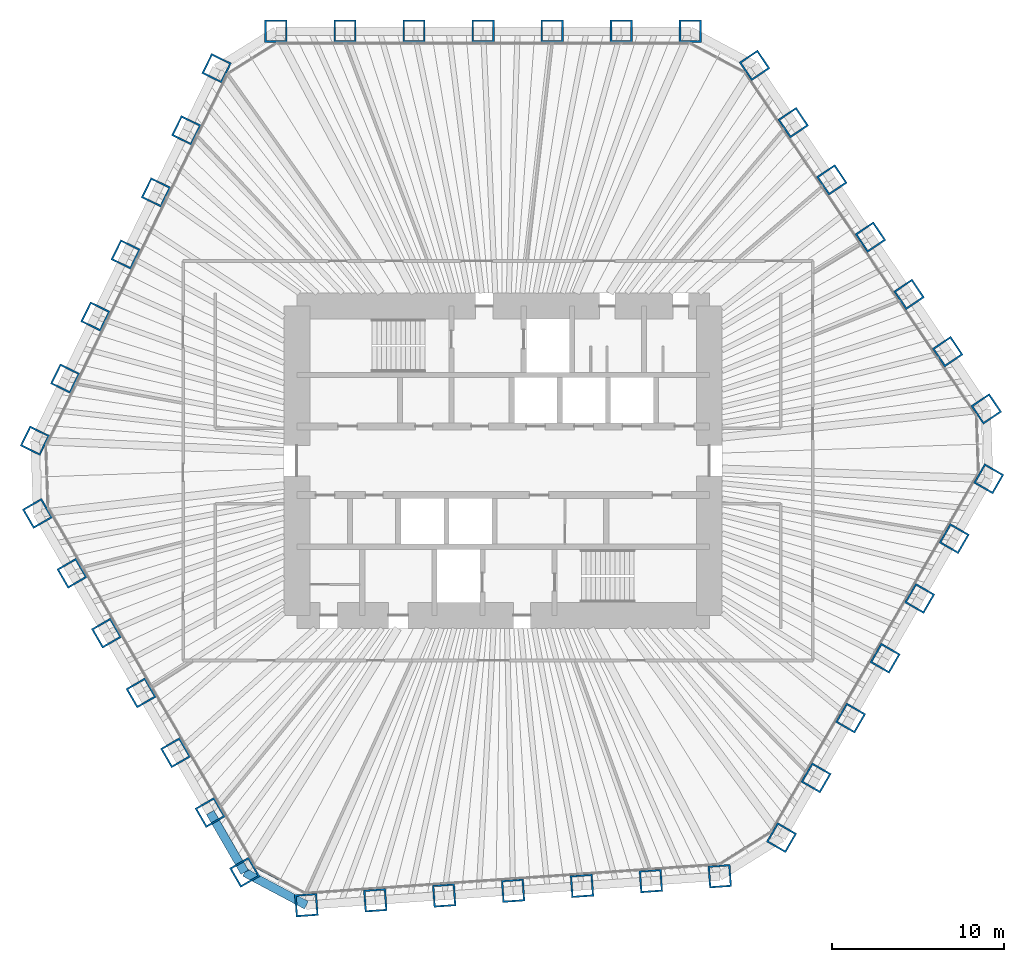
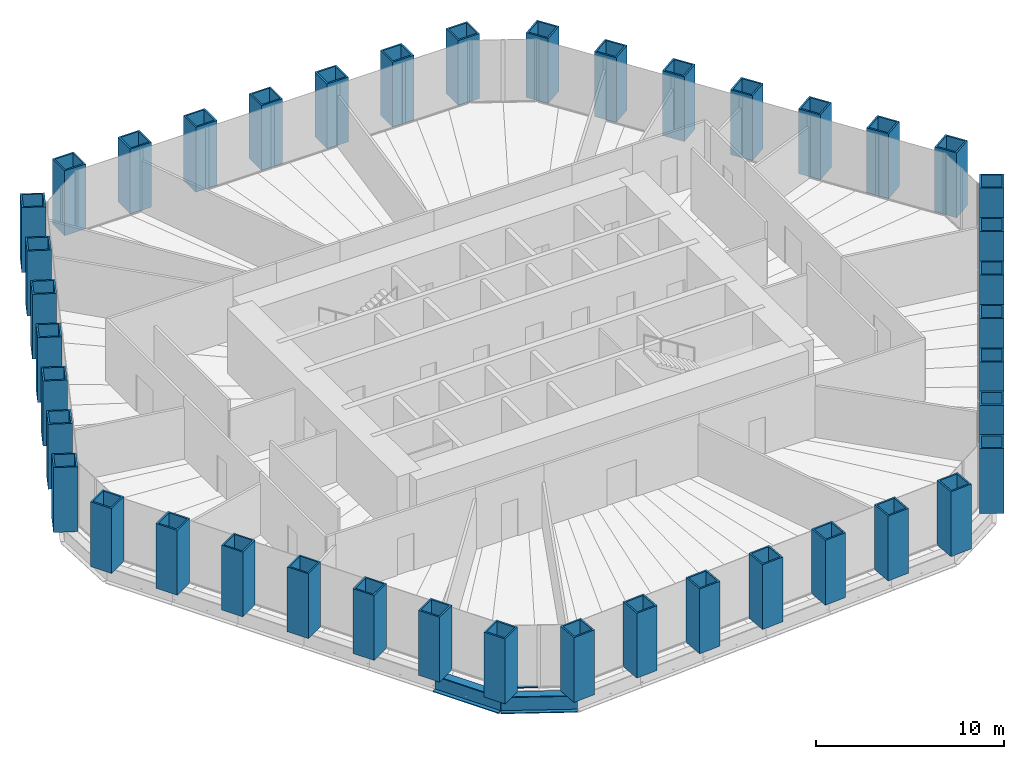
# One storey, part 1 of 13: 42 columns, 2 beams, 1 member, 1 element without a shape of its own.
"""IFC4 building model written with IfcOpenShell, lengths in metres."""

from ifc_helpers import new_model, si_unit, direction, frame, origin, origin_2d, place, context, subcontext, project, spatial, rectangle, hollow_rectangle, i_section, extrude, material, material_profile, profile_set, type_object, element, aggregate, save


model = new_model("IFC4")

# Units and contexts
model_context = context("Model", 3, precision=1e-05, world=origin(), true_north=direction((0.0, 1.0)))
body_context = subcontext(model_context, "Body", "Model", "MODEL_VIEW")
ifc_project = project(units=[si_unit("LENGTHUNIT", "METRE"), si_unit("AREAUNIT", "SQUARE_METRE"), si_unit("VOLUMEUNIT", "CUBIC_METRE"), si_unit("PLANEANGLEUNIT", "RADIAN"), si_unit("MASSUNIT", "GRAM", prefix="KILO")], contexts=[model_context])

# Site, building, storey
site_placement = place(None, origin())
site = spatial("IfcSite", under=ifc_project, at=site_placement, CompositionType="ELEMENT")
building_placement = place(site_placement, origin())
building = spatial("IfcBuilding", under=site, at=building_placement, Name="Qingtian Harvest Tower", CompositionType="ELEMENT")
storey_placement = place(building_placement, frame((0.0, 0.0, 153.39990234375)))
storey = spatial("IfcBuildingStorey", under=building, at=storey_placement, Name="L32", CompositionType="ELEMENT", Elevation=153.39990234375)

# Columns
ifc_material_1 = material(Name="Steel SM570MC", Category="steel")
ifc_material_profile_1 = material_profile(ifc_material_1, hollow_rectangle(XDim=1.300048828125, YDim=1.300048828125, WallThickness=0.10009765625, at=origin_2d()), Name="BOX1300x1300x100")
ifc_profile_set_1 = profile_set([ifc_material_profile_1], Name="Steel SM570MC")
column_type = type_object("IfcColumnType", Name="Tube column TC4 BOX1300x1300x100", PredefinedType="COLUMN", material=ifc_profile_set_1)
for number, where, z_axis, x_axis, name in (
    (1, (-13.2216796875, 25.0, 0.0), (0.0, 0.0, 1.0), (-1.0, 0.0, 0.0), "Tube column TC4 N0"),
    (2, (-9.20263671875, 25.0, 0.0), (0.0, 0.0, 1.0), (-1.0, 0.0, 0.0), "Tube column TC4 N1"),
    (3, (-5.18359375, 25.0, 0.0), (0.0, 0.0, 1.0), (-1.0, 0.0, 0.0), "Tube column TC4 N2"),
    (4, (-1.16455078125, 25.0, 0.0), (0.0, 0.0, 1.0), (-1.0, 0.0, 0.0), "Tube column TC4 N3"),
    (5, (2.8544921875, 25.0, 0.0), (0.0, 0.0, 1.0), (-1.0, 0.0, 0.0), "Tube column TC4 N4"),
    (6, (6.873779296875, 25.0, 0.0), (0.0, 0.0, 1.0), (-1.0, 0.0, 0.0), "Tube column TC4 N5"),
    (7, (10.892822265625, 25.0, 0.0), (0.0, 0.0, 1.0), (-1.0, 0.0, 0.0), "Tube column TC4 N6"),
    (8, (14.634765625, 23.01025390625, 0.0), (0.0, 0.0, 1.0), (-0.559192903471, 0.829037572555, 0.0), "Tube column TC4 NE0"),
    (9, (16.88232421875, 19.67822265625, 0.0), (0.0, 0.0, 1.0), (-0.559192903471, 0.829037572555, 0.0), "Tube column TC4 NE1"),
    (10, (19.129638671875, 16.346435546875, 0.0), (0.0, 0.0, 1.0), (-0.559192903471, 0.829037572555, 0.0), "Tube column TC4 NE2"),
    (11, (21.377197265625, 13.014404296875, 0.0), (0.0, 0.0, 1.0), (-0.559192903471, 0.829037572555, 0.0), "Tube column TC4 NE3"),
    (12, (23.62451171875, 9.682373046875, 0.0), (0.0, 0.0, 1.0), (-0.559192903471, 0.829037572555, 0.0), "Tube column TC4 NE4"),
    (13, (25.8720703125, 6.3505859375, 0.0), (0.0, 0.0, 1.0), (-0.559192903471, 0.829037572555, 0.0), "Tube column TC4 NE5"),
    (14, (28.119384765625, 3.0185546875, 0.0), (0.0, 0.0, 1.0), (-0.559192903471, 0.829037572555, 0.0), "Tube column TC4 NE6"),
    (15, (28.261474609375, -1.049560546875, 0.0), (0.0, 0.0, 1.0), (0.5, 0.866025403784, 0.0), "Tube column TC4 SE0"),
    (16, (26.251953125, -4.5302734375, 0.0), (0.0, 0.0, 1.0), (0.5, 0.866025403784, 0.0), "Tube column TC4 SE1"),
    (17, (24.242431640625, -8.010986328125, 0.0), (0.0, 0.0, 1.0), (0.5, 0.866025403784, 0.0), "Tube column TC4 SE2"),
    (18, (22.23291015625, -11.491455078125, 0.0), (0.0, 0.0, 1.0), (0.5, 0.866025403784, 0.0), "Tube column TC4 SE3"),
    (19, (20.223388671875, -14.97216796875, 0.0), (0.0, 0.0, 1.0), (0.5, 0.866025403784, 0.0), "Tube column TC4 SE4"),
    (20, (18.2138671875, -18.452880859375, 0.0), (0.0, 0.0, 1.0), (0.5, 0.866025403784, 0.0), "Tube column TC4 SE5"),
    (21, (16.204345703125, -21.933349609375, 0.0), (0.0, 0.0, 1.0), (0.5, 0.866025403784, 0.0), "Tube column TC4 SE6"),
    (22, (12.610107421875, -24.17919921875, 0.0), (0.0, 0.0, 1.0), (0.99756405026, 0.069756473744, 0.0), "Tube column TC4 S0"),
    (23, (8.600830078125, -24.459716796875, 0.0), (0.0, 0.0, 1.0), (0.99756405026, 0.069756473744, 0.0), "Tube column TC4 S1"),
    (24, (4.591552734375, -24.739990234375, 0.0), (0.0, 0.0, 1.0), (0.99756405026, 0.069756473744, 0.0), "Tube column TC4 S2"),
    (25, (0.582275390625, -25.020263671875, 0.0), (0.0, 0.0, 1.0), (0.99756405026, 0.069756473744, 0.0), "Tube column TC4 S3"),
    (26, (-3.427001953125, -25.30078125, 0.0), (0.0, 0.0, 1.0), (0.99756405026, 0.069756473744, 0.0), "Tube column TC4 S4"),
    (27, (-7.436279296875, -25.5810546875, 0.0), (0.0, 0.0, 1.0), (0.99756405026, 0.069756473744, 0.0), "Tube column TC4 S5"),
    (28, (-11.445556640625, -25.861328125, 0.0), (0.0, 0.0, 1.0), (0.99756405026, 0.069756473744, 0.0), "Tube column TC4 S6"),
    (29, (-15.039794921875, -23.950439453125, 0.0), (0.0, 0.0, 1.0), (0.5, -0.866025403784, 0.0), "Tube column TC4 SW0"),
    (30, (-17.04931640625, -20.4697265625, 0.0), (0.0, 0.0, 1.0), (0.5, -0.866025403784, 0.0), "Tube column TC4 SW1"),
    (31, (-19.058837890625, -16.989013671875, 0.0), (0.0, 0.0, 1.0), (0.5, -0.866025403784, 0.0), "Tube column TC4 SW2"),
    (32, (-21.068359375, -13.508544921875, 0.0), (0.0, 0.0, 1.0), (0.5, -0.866025403784, 0.0), "Tube column TC4 SW3"),
    (33, (-23.077880859375, -10.02783203125, 0.0), (0.0, 0.0, 1.0), (0.5, -0.866025403784, 0.0), "Tube column TC4 SW4"),
    (34, (-25.08740234375, -6.547119140625, 0.0), (0.0, 0.0, 1.0), (0.5, -0.866025403784, 0.0), "Tube column TC4 SW5"),
    (35, (-27.096923828125, -3.066650390625, 0.0), (0.0, 0.0, 1.0), (0.5, -0.866025403784, 0.0), "Tube column TC4 SW6"),
    (36, (-27.244873046875, 1.1689453125, 0.0), (0.0, 0.0, 1.0), (-0.438371146789, -0.898794046299, 0.0), "Tube column TC4 NW0"),
    (37, (-25.483154296875, 4.78125, 0.0), (0.0, 0.0, 1.0), (-0.438371146789, -0.898794046299, 0.0), "Tube column TC4 NW1"),
    (38, (-23.72119140625, 8.3935546875, 0.0), (0.0, 0.0, 1.0), (-0.438371146789, -0.898794046299, 0.0), "Tube column TC4 NW2"),
    (39, (-21.95947265625, 12.005859375, 0.0), (0.0, 0.0, 1.0), (-0.438371146789, -0.898794046299, 0.0), "Tube column TC4 NW3"),
    (40, (-20.197509765625, 15.6181640625, 0.0), (0.0, 0.0, 1.0), (-0.438371146789, -0.898794046299, 0.0), "Tube column TC4 NW4"),
    (41, (-18.435791015625, 19.23046875, 0.0), (0.0, 0.0, 1.0), (-0.438371146789, -0.898794046299, 0.0), "Tube column TC4 NW5"),
    (42, (-16.673828125, 22.8427734375, 0.0), (0.0, 0.0, 1.0), (-0.438371146789, -0.898794046299, 0.0), "Tube column TC4 NW6"),
):
    element("IfcColumn", number, at=place(storey_placement, frame(where, z_axis=z_axis, x_axis=x_axis)), inside=storey, type_object=column_type, Name=name, PredefinedType="COLUMN", context=body_context, shape_type="SweptSolid", body=[
        extrude(hollow_rectangle(XDim=1.300048828125, YDim=1.300048828125, WallThickness=0.10009765625, at=origin_2d()), origin(), (0.0, 0.0, 1.0), 4.2001953125),
    ])

# Beams
ifc_material_2 = material(Name="Steel SM570MC", Category="steel")
ifc_material_profile_2 = material_profile(ifc_material_2, i_section(OverallWidth=0.5, OverallDepth=1.10009765625, WebThickness=0.02490234375, FlangeThickness=0.050048828125, at=origin_2d()), Name="H1100x500x25x50")
ifc_profile_set_2 = profile_set([ifc_material_profile_2], Name="Steel SM570MC")
beam_type = type_object("IfcBeamType", Name="Spandrel beam SB2 H1100x500x25x50", PredefinedType="SPANDREL", material=ifc_profile_set_2)
beam_1_placement = place(storey_placement, frame((-11.445556640625, -25.861328125, -0.5498046875), z_axis=(-0.882968133669, 0.469432929101, 0.0), x_axis=(-0.469432929101, -0.882968133669, 0.0)))
element("IfcBeam", 43, at=beam_1_placement, inside=storey, type_object=beam_type, Name="Spandrel SB2 SC", PredefinedType="SPANDREL", context=body_context, shape_type="SweptSolid", body=[
    extrude(i_section(OverallWidth=0.5, OverallDepth=1.10009765625, WebThickness=0.02490234375, FlangeThickness=0.050048828125, at=origin_2d()), origin(), (0.0, 0.0, 1.0), 4.070556640625),
])
beam_2_placement = place(storey_placement, frame((-15.039794921875, -23.950439453125, -0.5498046875), z_axis=(-0.499987116613, 0.866032841884, 0.0), x_axis=(-0.866032841884, -0.499987116613, 0.0)))
element("IfcBeam", 44, at=beam_2_placement, inside=storey, type_object=beam_type, Name="Spandrel SB2 SW0", PredefinedType="SPANDREL", context=body_context, shape_type="SweptSolid", body=[
    extrude(i_section(OverallWidth=0.5, OverallDepth=1.10009765625, WebThickness=0.02490234375, FlangeThickness=0.050048828125, at=origin_2d()), origin(), (0.0, 0.0, 1.0), 4.01904296875),
])

# Curtain wall, member
ifc_material_3 = material(Name="Bronze-anodised aluminium curtain wall", Category="aluminium")
curtain_wall_type = type_object("IfcCurtainWallType", Name="Curtain wall CW4 office", PredefinedType="USERDEFINED", material=ifc_material_3)
curtain_wall_placement = place(storey_placement, origin())
curtain_wall = element("IfcCurtainWall", 45, at=curtain_wall_placement, inside=storey, type_object=curtain_wall_type, Name="Curtain wall CW4 L32 SC", ObjectType="RECESSED CURTAIN WALL", PredefinedType="USERDEFINED")
ifc_material_4 = material(Name="Bronze-anodised aluminium transom", Category="aluminium")
ifc_material_profile_3 = material_profile(ifc_material_4, rectangle(XDim=0.14990234375, YDim=0.06494140625, at=origin_2d()), Name="AL 65x150")
ifc_profile_set_3 = profile_set([ifc_material_profile_3], Name="Bronze-anodised aluminium transom")
member_type = type_object("IfcMemberType", Name="Transom CWT 65x150", PredefinedType="USERDEFINED", material=ifc_profile_set_3)
member_placement = place(storey_placement, frame((-12.99267578125, -24.366455078125, 0.03271484375), z_axis=(-0.882960338349, 0.46944759122, 0.0), x_axis=(-0.46944759122, -0.882960338349, 0.0)))
member = element("IfcMember", 46, at=member_placement, type_object=member_type, Name="CW4 transom 2.1", ObjectType="TRANSOM", PredefinedType="USERDEFINED", context=body_context, shape_type="SweptSolid", body=[
    extrude(rectangle(XDim=0.14990234375, YDim=0.06494140625, at=origin_2d()), origin(), (0.0, 0.0, 1.0), 1.56689453125),
])
aggregate(curtain_wall, [member])

save(model, "model.ifc")
